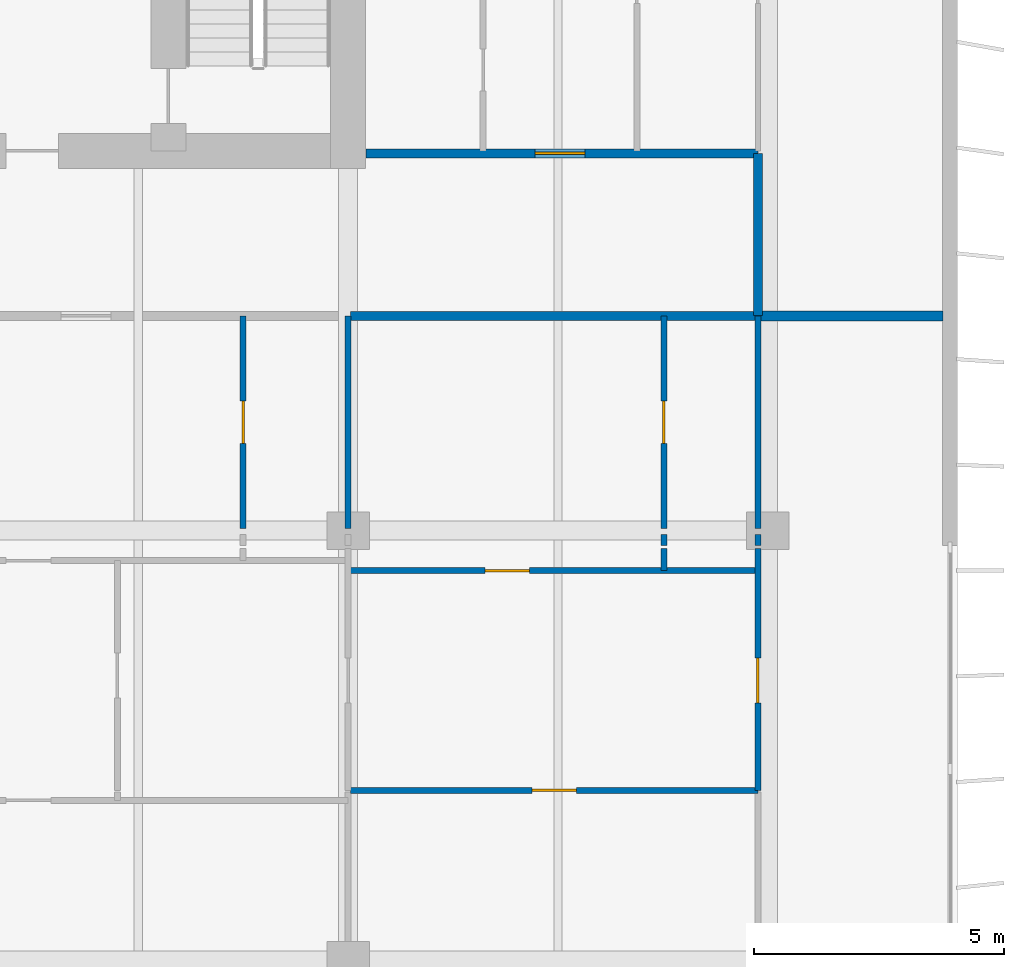
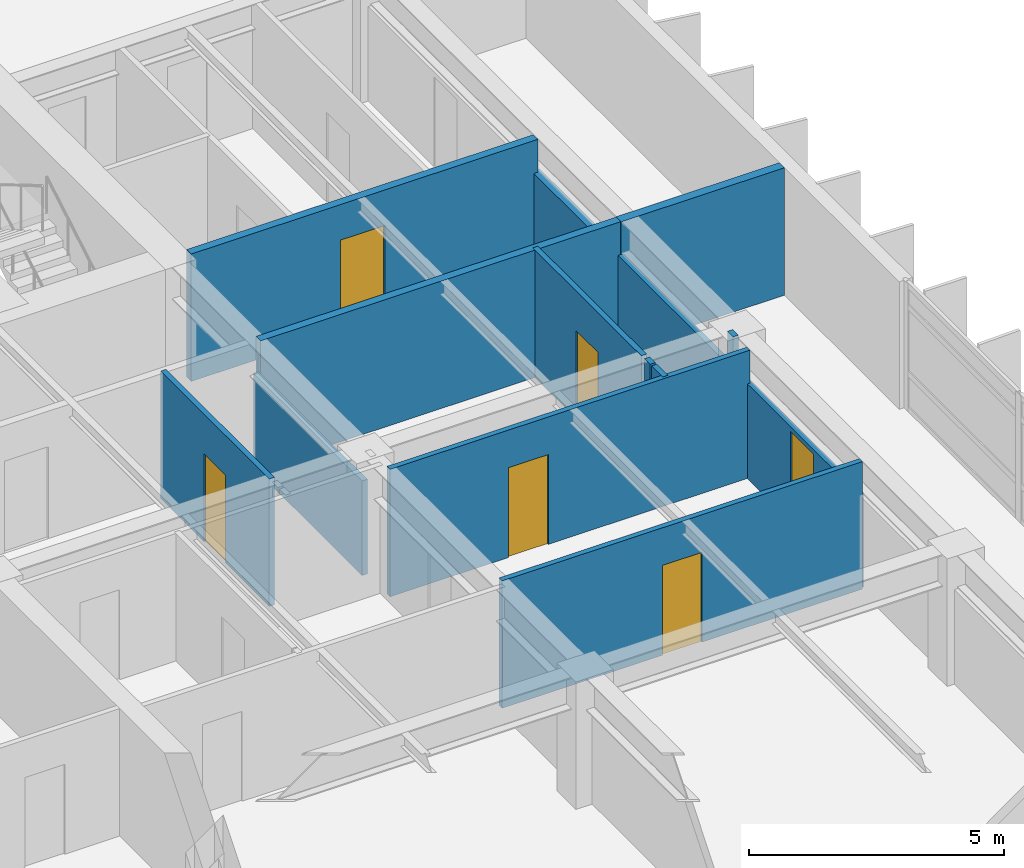
# One storey, part 11 of 18: 14 walls, 6 doors, 6 openings.
"""IFC4 building model written with IfcOpenShell, lengths in metres."""

from ifc_helpers import new_model, si_unit, direction, frame, frame_2d, origin, place, context, subcontext, project, spatial, rectangle, extrude, material, layer, layer_set, type_object, element, fill, save


model = new_model("IFC4")

# Units and contexts
model_context = context("Model", 3, precision=1e-05, world=origin(), true_north=direction((0.0, 1.0)))
body_context = subcontext(model_context, "Body", "Model", "MODEL_VIEW")
ifc_project = project(units=[si_unit("LENGTHUNIT", "METRE"), si_unit("AREAUNIT", "SQUARE_METRE"), si_unit("VOLUMEUNIT", "CUBIC_METRE"), si_unit("PLANEANGLEUNIT", "RADIAN"), si_unit("MASSUNIT", "GRAM", prefix="KILO")], contexts=[model_context])

# Site, building, storey
site_placement = place(None, origin())
site = spatial("IfcSite", under=ifc_project, at=site_placement, CompositionType="ELEMENT")
building_placement = place(site_placement, origin())
building = spatial("IfcBuilding", under=site, at=building_placement, Name="Caelmar Bay Residences", CompositionType="ELEMENT")
storey_placement = place(building_placement, frame((0.0, 0.0, 170.39990234375)))
storey = spatial("IfcBuildingStorey", under=building, at=storey_placement, Name="L47", CompositionType="ELEMENT", Elevation=170.39990234375)

# Walls
ifc_material_1 = material(Name="Double-stud acoustic fire-rated gypsum partition 180 mm")
ifc_layer_1 = layer(ifc_material_1, 0.179931640625)
ifc_layer_set_1 = layer_set([ifc_layer_1], Name="Double-stud acoustic fire-rated gypsum partition 180 mm")
wall_type_1 = type_object("IfcWallType", Name="W-COR-200", PredefinedType="PARTITIONING", material=ifc_layer_set_1)
wall_1_placement = place(storey_placement, frame((67.699951171875, 33.705078125, 0.0), z_axis=(0.0, 0.0, 1.0), x_axis=(0.0, 1.0, 0.0)))
element("IfcWall", 1, at=wall_1_placement, inside=storey, type_object=wall_type_1, Name="L47 Partition Wall V089", PredefinedType="PARTITIONING", context=body_context, shape_type="SweptSolid", body=[
    extrude(rectangle(XDim=3.244873046875, YDim=0.179931640625, at=frame_2d((1.62255859375, 0.0))), origin(), (0.0, 0.0, 1.0), 2.26318359375),
])
wall_2_placement = place(storey_placement, frame((59.550048828125, 33.699951171875, 0.0), z_axis=(0.0, 0.0, 1.0), x_axis=(1.0, 0.0, 0.0)))
element("IfcWall", 2, at=wall_2_placement, inside=storey, type_object=wall_type_1, Name="L47 Partition Wall H118", PredefinedType="PARTITIONING", context=body_context, shape_type="SweptSolid", body=[
    extrude(rectangle(XDim=8.14990234375, YDim=0.179931640625, at=frame_2d((4.074951171875, 0.0))), origin(), (0.0, 0.0, 1.0), 3.050048828125),
])

# Wall, opening, door
wall_3_placement = place(storey_placement, frame((59.85498046875, 36.949951171875, 0.0), z_axis=(0.0, 0.0, 1.0), x_axis=(1.0, 0.0, 0.0)))
wall_3 = element("IfcWall", 3, at=wall_3_placement, inside=storey, type_object=wall_type_1, Name="L47 Partition Wall H121", PredefinedType="PARTITIONING", context=body_context, shape_type="SweptSolid", body=[
    extrude(rectangle(XDim=7.844970703125, YDim=0.179931640625, at=frame_2d((3.92236328125, 0.0))), origin(), (0.0, 0.0, 1.0), 3.050048828125),
])
opening_1_placement = place(wall_3_placement, frame((3.385009765625, 0.0, 0.0)))
opening_1 = element("IfcOpeningElement", 4, at=opening_1_placement, cuts=wall_3, Name="Opening D-L47-173", PredefinedType="OPENING", context=body_context, shape_type="SweptSolid", body=[
    extrude(rectangle(XDim=1.0, YDim=2.199951171875, at=frame_2d((0.5, 1.10009765625))), frame((0.0, 0.099853515625, 0.0), z_axis=(0.0, -1.0, 0.0), x_axis=(1.0, 0.0, 0.0)), (0.0, 0.0, 1.0), 0.199951171875),
])
ifc_material_2 = material(Name="Fire-rated steel and walnut architectural door assembly", Category="steel")
ifc_layer_2 = layer(ifc_material_2, 0.050048828125)
ifc_layer_set_2 = layer_set([ifc_layer_2], Name="Fire-rated steel and walnut architectural door assembly")
door_type_1 = type_object("IfcDoorType", Name="D-UNIT-1000", OperationType="NOTDEFINED", PredefinedType="DOOR", material=ifc_layer_set_2)
door_1_placement = place(opening_1_placement, origin())
door_1 = element("IfcDoor", 5, at=door_1_placement, inside=storey, type_object=door_type_1, Name="L47 Residence EA Kitchen Door", OperationType="SINGLE_SWING_RIGHT", OverallHeight=2.199951171875, OverallWidth=1.0, PredefinedType="DOOR", context=body_context, shape_type="SweptSolid", body=[
    extrude(rectangle(XDim=1.0, YDim=2.199951171875, at=frame_2d((0.5, 1.10009765625))), frame((0.0, 0.02490234375, 0.0), z_axis=(0.0, -1.0, 0.0), x_axis=(1.0, 0.0, 0.0)), (0.0, 0.0, 1.0), 0.050048828125),
])
fill(opening_1, door_1)

ifc_material_3 = material(Name="Acoustic metal-stud gypsum partition 120 mm")
ifc_layer_3 = layer(ifc_material_3, 0.1201171875)
ifc_layer_set_3 = layer_set([ifc_layer_3], Name="Acoustic metal-stud gypsum partition 120 mm")
wall_type_2 = type_object("IfcWallType", Name="W-PRT-120", PredefinedType="PARTITIONING", material=ifc_layer_set_3)
wall_4_placement = place(storey_placement, frame((57.39794921875, 29.43994140625, 0.0), z_axis=(0.0, 0.0, 1.0), x_axis=(0.0, 1.0, 0.0)))
wall_4 = element("IfcWall", 6, at=wall_4_placement, inside=storey, type_object=wall_type_2, Name="L47 Partition Wall V074", PredefinedType="PARTITIONING", context=body_context, shape_type="SweptSolid", body=[
    extrude(rectangle(XDim=4.260009765625, YDim=0.1201171875, at=frame_2d((2.1298828125, 0.0))), origin(), (0.0, 0.0, 1.0), 3.050048828125),
])
opening_2_placement = place(wall_4_placement, frame((1.705078125, 0.0, 0.0)))
opening_2 = element("IfcOpeningElement", 7, at=opening_2_placement, cuts=wall_4, Name="Opening D-L47-154", PredefinedType="OPENING", context=body_context, shape_type="SweptSolid", body=[
    extrude(rectangle(XDim=0.85009765625, YDim=2.10009765625, at=frame_2d((0.425048828125, 1.050048828125))), frame((0.0, 0.070068359375, 0.0), z_axis=(0.0, -1.0, 0.0), x_axis=(1.0, 0.0, 0.0)), (0.0, 0.0, 1.0), 0.14013671875),
])
ifc_material_4 = material(Name="Solid walnut timber interior door leaf and frame", Category="wood")
ifc_layer_4 = layer(ifc_material_4, 0.050048828125)
ifc_layer_set_4 = layer_set([ifc_layer_4], Name="Solid walnut timber interior door leaf and frame")
door_type_2 = type_object("IfcDoorType", Name="D-BATH-850", OperationType="NOTDEFINED", PredefinedType="DOOR", material=ifc_layer_set_4)
door_2_placement = place(opening_2_placement, origin())
door_2 = element("IfcDoor", 8, at=door_2_placement, inside=storey, type_object=door_type_2, Name="L47 Residence 05 Guest Bathroom Door", OperationType="SINGLE_SWING_LEFT", OverallHeight=2.10009765625, OverallWidth=0.85009765625, PredefinedType="DOOR", context=body_context, shape_type="SweptSolid", body=[
    extrude(rectangle(XDim=0.85009765625, YDim=2.10009765625, at=frame_2d((0.425048828125, 1.050048828125))), frame((0.0, 0.02490234375, 0.0), z_axis=(0.0, -1.0, 0.0), x_axis=(1.0, 0.0, 0.0)), (0.0, 0.0, 1.0), 0.050048828125),
])
fill(opening_2, door_2)

# Walls
wall_5_placement = place(storey_placement, frame((59.5, 29.43994140625, 0.0), z_axis=(0.0, 0.0, 1.0), x_axis=(0.0, 1.0, 0.0)))
element("IfcWall", 9, at=wall_5_placement, inside=storey, type_object=wall_type_2, Name="L47 Partition Wall V079", PredefinedType="PARTITIONING", context=body_context, shape_type="SweptSolid", body=[
    extrude(rectangle(XDim=4.260009765625, YDim=0.1201171875, at=frame_2d((2.1298828125, 0.0))), origin(), (0.0, 0.0, 1.0), 2.26318359375),
])
wall_6_placement = place(storey_placement, frame((65.818115234375, 28.60009765625, 0.0), z_axis=(0.0, 0.0, 1.0), x_axis=(0.0, 1.0, 0.0)))
element("IfcWall", 10, at=wall_6_placement, inside=storey, type_object=wall_type_2, Name="L47 Partition Wall V082", PredefinedType="PARTITIONING", context=body_context, shape_type="SweptSolid", body=[
    extrude(rectangle(XDim=0.43994140625, YDim=0.1201171875, at=frame_2d((0.219970703125, 0.0))), origin(), (0.0, 0.0, 1.0), 3.050048828125),
])
wall_7_placement = place(storey_placement, frame((65.818115234375, 29.10009765625, 0.0), z_axis=(0.0, 0.0, 1.0), x_axis=(0.0, 1.0, 0.0)))
element("IfcWall", 11, at=wall_7_placement, inside=storey, type_object=wall_type_2, Name="L47 Partition Wall V083", PredefinedType="PARTITIONING", context=body_context, shape_type="SweptSolid", body=[
    extrude(rectangle(XDim=0.219970703125, YDim=0.1201171875, at=frame_2d((0.10986328125, 0.0))), origin(), (0.0, 0.0, 1.0), 3.050048828125),
])

# Wall, opening, door
wall_8_placement = place(storey_placement, frame((65.818115234375, 29.43994140625, 0.0), z_axis=(0.0, 0.0, 1.0), x_axis=(0.0, 1.0, 0.0)))
wall_8 = element("IfcWall", 12, at=wall_8_placement, inside=storey, type_object=wall_type_2, Name="L47 Partition Wall V084", PredefinedType="PARTITIONING", context=body_context, shape_type="SweptSolid", body=[
    extrude(rectangle(XDim=4.260009765625, YDim=0.1201171875, at=frame_2d((2.1298828125, 0.0))), origin(), (0.0, 0.0, 1.0), 3.050048828125),
])
opening_3_placement = place(wall_8_placement, frame((1.705078125, 0.0, 0.0)))
opening_3 = element("IfcOpeningElement", 13, at=opening_3_placement, cuts=wall_8, Name="Opening D-L47-160", PredefinedType="OPENING", context=body_context, shape_type="SweptSolid", body=[
    extrude(rectangle(XDim=0.85009765625, YDim=2.10009765625, at=frame_2d((0.425048828125, 1.050048828125))), frame((0.0, 0.070068359375, 0.0), z_axis=(0.0, -1.0, 0.0), x_axis=(1.0, 0.0, 0.0)), (0.0, 0.0, 1.0), 0.14013671875),
])
door_3_placement = place(opening_3_placement, origin())
door_3 = element("IfcDoor", 14, at=door_3_placement, inside=storey, type_object=door_type_2, Name="L47 Residence 05 En-Suite Bathroom 1 Door", OperationType="SINGLE_SWING_LEFT", OverallHeight=2.10009765625, OverallWidth=0.85009765625, PredefinedType="DOOR", context=body_context, shape_type="SweptSolid", body=[
    extrude(rectangle(XDim=0.85009765625, YDim=2.10009765625, at=frame_2d((0.425048828125, 1.050048828125))), frame((0.0, 0.02490234375, 0.0), z_axis=(0.0, -1.0, 0.0), x_axis=(1.0, 0.0, 0.0)), (0.0, 0.0, 1.0), 0.050048828125),
])
fill(opening_3, door_3)

wall_9_placement = place(storey_placement, frame((67.699951171875, 24.199951171875, 0.0), z_axis=(0.0, 0.0, 1.0), x_axis=(0.0, 1.0, 0.0)))
wall_9 = element("IfcWall", 15, at=wall_9_placement, inside=storey, type_object=wall_type_2, Name="L47 Partition Wall V086", PredefinedType="PARTITIONING", context=body_context, shape_type="SweptSolid", body=[
    extrude(rectangle(XDim=4.840087890625, YDim=0.1201171875, at=frame_2d((2.419921875, 0.0))), origin(), (0.0, 0.0, 1.0), 2.26318359375),
])
opening_4_placement = place(wall_9_placement, frame((1.75, 0.0, 0.0)))
opening_4 = element("IfcOpeningElement", 16, at=opening_4_placement, cuts=wall_9, Name="Opening D-L47-164", PredefinedType="OPENING", context=body_context, shape_type="SweptSolid", body=[
    extrude(rectangle(XDim=0.89990234375, YDim=2.14990234375, at=frame_2d((0.449951171875, 1.074951171875))), frame((0.0, 0.070068359375, 0.0), z_axis=(0.0, -1.0, 0.0), x_axis=(1.0, 0.0, 0.0)), (0.0, 0.0, 1.0), 0.14013671875),
])
ifc_layer_5 = layer(ifc_material_4, 0.050048828125)
ifc_layer_set_5 = layer_set([ifc_layer_5], Name="Solid walnut timber interior door leaf and frame")
door_type_3 = type_object("IfcDoorType", Name="D-ROOM-900", OperationType="NOTDEFINED", PredefinedType="DOOR", material=ifc_layer_set_5)
door_4_placement = place(opening_4_placement, origin())
door_4 = element("IfcDoor", 17, at=door_4_placement, inside=storey, type_object=door_type_3, Name="L47 Residence 05 Penthouse East Salon Door", OperationType="SINGLE_SWING_LEFT", OverallHeight=2.14990234375, OverallWidth=0.89990234375, PredefinedType="DOOR", context=body_context, shape_type="SweptSolid", body=[
    extrude(rectangle(XDim=0.89990234375, YDim=2.14990234375, at=frame_2d((0.449951171875, 1.074951171875))), frame((0.0, 0.02490234375, 0.0), z_axis=(0.0, -1.0, 0.0), x_axis=(1.0, 0.0, 0.0)), (0.0, 0.0, 1.0), 0.050048828125),
])
fill(opening_4, door_4)

# Walls
wall_10_placement = place(storey_placement, frame((67.699951171875, 29.10009765625, 0.0), z_axis=(0.0, 0.0, 1.0), x_axis=(0.0, 1.0, 0.0)))
element("IfcWall", 18, at=wall_10_placement, inside=storey, type_object=wall_type_2, Name="L47 Partition Wall V087", PredefinedType="PARTITIONING", context=body_context, shape_type="SweptSolid", body=[
    extrude(rectangle(XDim=0.219970703125, YDim=0.1201171875, at=frame_2d((0.10986328125, 0.0))), origin(), (0.0, 0.0, 1.0), 3.050048828125),
])
wall_11_placement = place(storey_placement, frame((67.699951171875, 29.43994140625, 0.0), z_axis=(0.0, 0.0, 1.0), x_axis=(0.0, 1.0, 0.0)))
element("IfcWall", 19, at=wall_11_placement, inside=storey, type_object=wall_type_2, Name="L47 Partition Wall V088", PredefinedType="PARTITIONING", context=body_context, shape_type="SweptSolid", body=[
    extrude(rectangle(XDim=4.260009765625, YDim=0.1201171875, at=frame_2d((2.1298828125, 0.0))), origin(), (0.0, 0.0, 1.0), 2.26318359375),
])

# Wall, opening, door
wall_12_placement = place(storey_placement, frame((59.550048828125, 24.199951171875, 0.0), z_axis=(0.0, 0.0, 1.0), x_axis=(1.0, 0.0, 0.0)))
wall_12 = element("IfcWall", 20, at=wall_12_placement, inside=storey, type_object=wall_type_2, Name="L47 Partition Wall H102", PredefinedType="PARTITIONING", context=body_context, shape_type="SweptSolid", body=[
    extrude(rectangle(XDim=8.14990234375, YDim=0.1201171875, at=frame_2d((4.074951171875, 0.0))), origin(), (0.0, 0.0, 1.0), 3.050048828125),
])
opening_5_placement = place(wall_12_placement, frame((3.625, 0.0, 0.0)))
opening_5 = element("IfcOpeningElement", 21, at=opening_5_placement, cuts=wall_12, Name="Opening D-L47-161", PredefinedType="OPENING", context=body_context, shape_type="SweptSolid", body=[
    extrude(rectangle(XDim=0.89990234375, YDim=2.14990234375, at=frame_2d((0.449951171875, 1.074951171875))), frame((0.0, 0.070068359375, 0.0), z_axis=(0.0, -1.0, 0.0), x_axis=(1.0, 0.0, 0.0)), (0.0, 0.0, 1.0), 0.14013671875),
])
door_5_placement = place(opening_5_placement, origin())
door_5 = element("IfcDoor", 22, at=door_5_placement, inside=storey, type_object=door_type_3, Name="L47 Residence 05 Penthouse Sitting Salon 1 Door", OperationType="SINGLE_SWING_RIGHT", OverallHeight=2.14990234375, OverallWidth=0.89990234375, PredefinedType="DOOR", context=body_context, shape_type="SweptSolid", body=[
    extrude(rectangle(XDim=0.89990234375, YDim=2.14990234375, at=frame_2d((0.449951171875, 1.074951171875))), frame((0.0, 0.02490234375, 0.0), z_axis=(0.0, -1.0, 0.0), x_axis=(1.0, 0.0, 0.0)), (0.0, 0.0, 1.0), 0.050048828125),
])
fill(opening_5, door_5)

wall_13_placement = place(storey_placement, frame((59.550048828125, 28.60009765625, 0.0), z_axis=(0.0, 0.0, 1.0), x_axis=(1.0, 0.0, 0.0)))
wall_13 = element("IfcWall", 23, at=wall_13_placement, inside=storey, type_object=wall_type_2, Name="L47 Partition Wall H106", PredefinedType="PARTITIONING", context=body_context, shape_type="SweptSolid", body=[
    extrude(rectangle(XDim=8.14990234375, YDim=0.1201171875, at=frame_2d((4.074951171875, 0.0))), origin(), (0.0, 0.0, 1.0), 3.050048828125),
])
opening_6_placement = place(wall_13_placement, frame((2.68408203125, 0.0, 0.0)))
opening_6 = element("IfcOpeningElement", 24, at=opening_6_placement, cuts=wall_13, Name="Opening D-L47-159", PredefinedType="OPENING", context=body_context, shape_type="SweptSolid", body=[
    extrude(rectangle(XDim=0.89990234375, YDim=2.14990234375, at=frame_2d((0.449951171875, 1.074951171875))), frame((0.0, 0.070068359375, 0.0), z_axis=(0.0, -1.0, 0.0), x_axis=(1.0, 0.0, 0.0)), (0.0, 0.0, 1.0), 0.14013671875),
])
door_6_placement = place(opening_6_placement, origin())
door_6 = element("IfcDoor", 25, at=door_6_placement, inside=storey, type_object=door_type_3, Name="L47 Residence 05 Home Office 1 Door", OperationType="SINGLE_SWING_RIGHT", OverallHeight=2.14990234375, OverallWidth=0.89990234375, PredefinedType="DOOR", context=body_context, shape_type="SweptSolid", body=[
    extrude(rectangle(XDim=0.89990234375, YDim=2.14990234375, at=frame_2d((0.449951171875, 1.074951171875))), frame((0.0, 0.02490234375, 0.0), z_axis=(0.0, -1.0, 0.0), x_axis=(1.0, 0.0, 0.0)), (0.0, 0.0, 1.0), 0.050048828125),
])
fill(opening_6, door_6)

# Wall
ifc_material_5 = material(Name="Acoustic twin-stud fire-rated inter-tenancy partition 200 mm")
ifc_layer_6 = layer(ifc_material_5, 0.199951171875)
ifc_layer_set_6 = layer_set([ifc_layer_6], Name="Acoustic twin-stud fire-rated inter-tenancy partition 200 mm")
wall_type_3 = type_object("IfcWallType", Name="W-PTY-200", PredefinedType="PARTITIONING", material=ifc_layer_set_6)
wall_14_placement = place(storey_placement, frame((67.705078125, 33.699951171875, 0.0), z_axis=(0.0, 0.0, 1.0), x_axis=(1.0, 0.0, 0.0)))
element("IfcWall", 26, at=wall_14_placement, inside=storey, type_object=wall_type_3, Name="L47 Partition Wall H119", PredefinedType="PARTITIONING", context=body_context, shape_type="SweptSolid", body=[
    extrude(rectangle(XDim=3.699951171875, YDim=0.199951171875, at=frame_2d((1.85009765625, 0.0))), origin(), (0.0, 0.0, 1.0), 3.050048828125),
])

save(model, "model.ifc")
